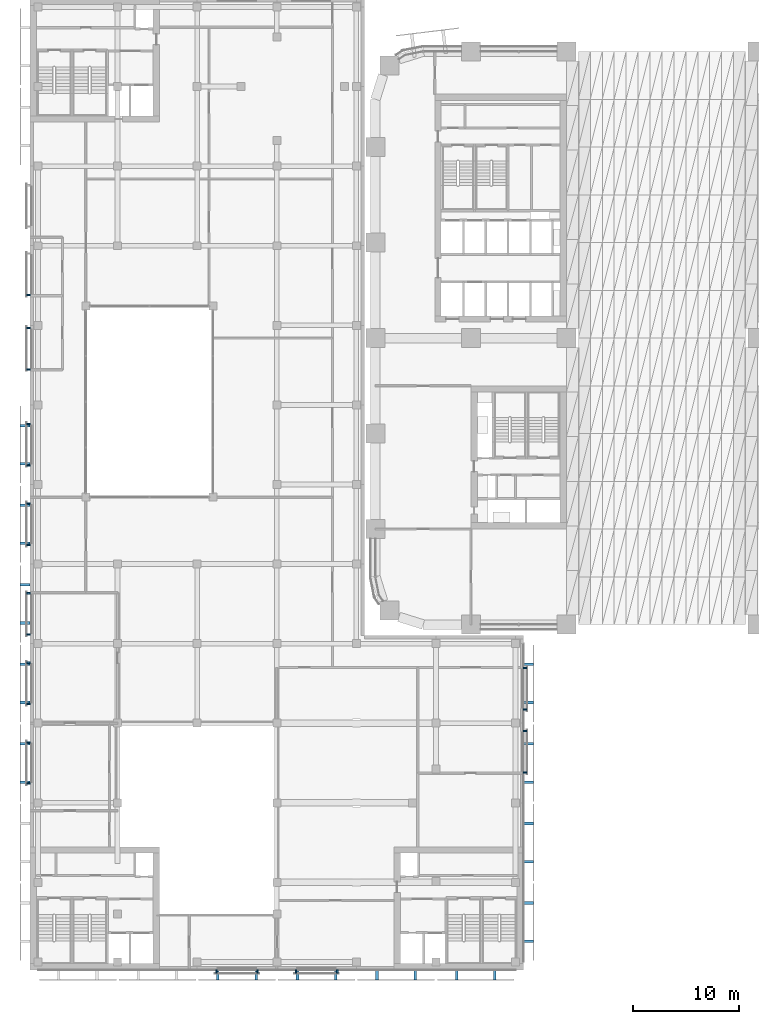
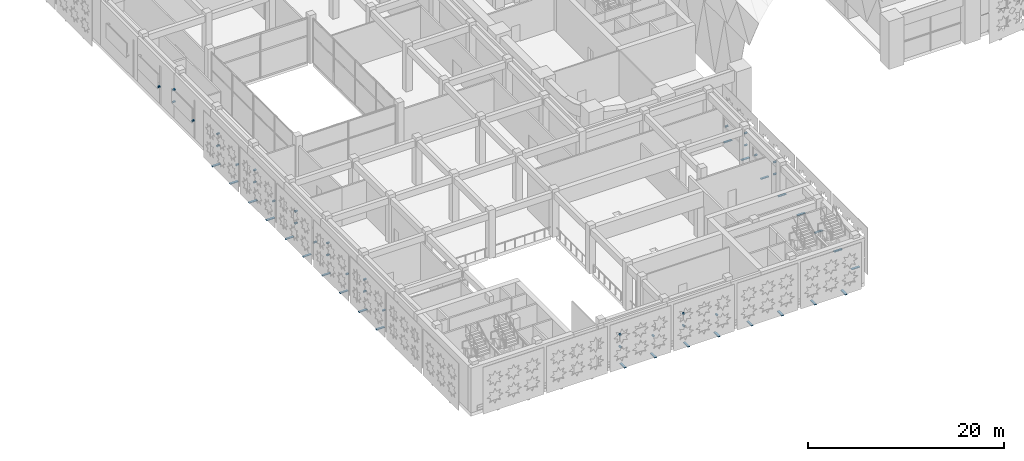
# One storey, part 26 of 46: 57 discrete accessories.
"""IFC4 building model written with IfcOpenShell, lengths in metres."""

from ifc_helpers import new_model, si_unit, direction, frame, origin, origin_2d, place, context, subcontext, project, spatial, rectangle, extrude, element, save


model = new_model("IFC4")

# Units and contexts
model_context = context("Model", 3, precision=1e-05, world=origin(), true_north=direction((0.0, 1.0)))
body_context = subcontext(model_context, "Body", "Model", "MODEL_VIEW")
ifc_project = project(units=[si_unit("LENGTHUNIT", "METRE"), si_unit("AREAUNIT", "SQUARE_METRE"), si_unit("VOLUMEUNIT", "CUBIC_METRE"), si_unit("PLANEANGLEUNIT", "RADIAN"), si_unit("MASSUNIT", "GRAM", prefix="KILO")], contexts=[model_context])

# Site, building, storey
site_placement = place(None, origin())
site = spatial("IfcSite", under=ifc_project, at=site_placement, CompositionType="ELEMENT")
building_placement = place(site_placement, origin())
building = spatial("IfcBuilding", under=site, at=building_placement, Name="Tessera Arch", CompositionType="ELEMENT")
storey_placement = place(building_placement, frame((0.0, 0.0, 8.0)))
storey = spatial("IfcBuildingStorey", under=building, at=storey_placement, Name="L01", CompositionType="ELEMENT", Elevation=8.0)

# Discrete accessories
for number, where, z_axis, x_axis, name in (
    (1, (-15.0, -32.699951171875, 2.175048828125), (0.0, 0.0, 1.0), (0.0, -1.0, 0.0), "Screen bracket"),
    (2, (-11.10009765625, -32.699951171875, 2.175048828125), (0.0, 0.0, 1.0), (0.0, -1.0, 0.0), "Screen bracket"),
    (3, (-15.0, -32.699951171875, 3.675048828125), (0.0, 0.0, 1.0), (0.0, -1.0, 0.0), "Screen bracket"),
    (4, (-7.5, -32.699951171875, 2.175048828125), (0.0, 0.0, 1.0), (0.0, -1.0, 0.0), "Screen bracket"),
    (5, (-3.60009765625, -32.699951171875, 2.175048828125), (0.0, 0.0, 1.0), (0.0, -1.0, 0.0), "Screen bracket"),
    (6, (-7.5, -32.699951171875, 3.675048828125), (0.0, 0.0, 1.0), (0.0, -1.0, 0.0), "Screen bracket"),
    (7, (14.10009765625, -13.949951171875, 2.175048828125), (0.0, 0.0, 1.0), (1.0, 0.0, 0.0), "Screen bracket"),
    (8, (14.10009765625, -10.050048828125, 2.175048828125), (0.0, 0.0, 1.0), (1.0, 0.0, 0.0), "Screen bracket"),
    (9, (14.10009765625, -13.949951171875, 3.675048828125), (0.0, 0.0, 1.0), (1.0, 0.0, 0.0), "Screen bracket"),
    (10, (14.10009765625, -8.0, 2.175048828125), (0.0, 0.0, 1.0), (1.0, 0.0, 0.0), "Screen bracket"),
    (11, (14.10009765625, -4.10009765625, 2.175048828125), (0.0, 0.0, 1.0), (1.0, 0.0, 0.0), "Screen bracket"),
    (12, (14.10009765625, -8.0, 3.675048828125), (0.0, 0.0, 1.0), (1.0, 0.0, 0.0), "Screen bracket"),
    (13, (-32.699951171875, 31.050048828125, 2.175048828125), (0.0, 0.0, 1.0), (-1.0, 0.0, 0.0), "Screen bracket"),
    (14, (-32.699951171875, 27.949951171875, 2.175048828125), (0.0, 0.0, 1.0), (-1.0, 0.0, 0.0), "Screen bracket"),
    (15, (-32.699951171875, 24.050048828125, 2.175048828125), (0.0, 0.0, 1.0), (-1.0, 0.0, 0.0), "Screen bracket"),
    (16, (-32.699951171875, 27.949951171875, 3.675048828125), (0.0, 0.0, 1.0), (-1.0, 0.0, 0.0), "Screen bracket"),
    (17, (-32.699951171875, 18.89990234375, 2.175048828125), (0.0, 0.0, 1.0), (-1.0, 0.0, 0.0), "Screen bracket"),
    (18, (-32.699951171875, 15.0, 2.175048828125), (0.0, 0.0, 1.0), (-1.0, 0.0, 0.0), "Screen bracket"),
    (19, (-32.699951171875, 18.89990234375, 3.675048828125), (0.0, 0.0, 1.0), (-1.0, 0.0, 0.0), "Screen bracket"),
    (20, (-32.699951171875, 11.39990234375, 2.175048828125), (0.0, 0.0, 1.0), (-1.0, 0.0, 0.0), "Screen bracket"),
    (21, (-32.699951171875, 7.5, 2.175048828125), (0.0, 0.0, 1.0), (-1.0, 0.0, 0.0), "Screen bracket"),
    (22, (-32.699951171875, 11.39990234375, 3.675048828125), (0.0, 0.0, 1.0), (-1.0, 0.0, 0.0), "Screen bracket"),
    (23, (-32.699951171875, 2.949951171875, 2.175048828125), (0.0, 0.0, 1.0), (-1.0, 0.0, 0.0), "Screen bracket"),
    (24, (-32.699951171875, -0.949951171875, 2.175048828125), (0.0, 0.0, 1.0), (-1.0, 0.0, 0.0), "Screen bracket"),
    (25, (-32.699951171875, 2.949951171875, 3.675048828125), (0.0, 0.0, 1.0), (-1.0, 0.0, 0.0), "Screen bracket"),
    (26, (-32.699951171875, -3.60009765625, 2.175048828125), (0.0, 0.0, 1.0), (-1.0, 0.0, 0.0), "Screen bracket"),
    (27, (-32.699951171875, -7.5, 2.175048828125), (0.0, 0.0, 1.0), (-1.0, 0.0, 0.0), "Screen bracket"),
    (28, (-32.699951171875, -3.60009765625, 3.675048828125), (0.0, 0.0, 1.0), (-1.0, 0.0, 0.0), "Screen bracket"),
    (29, (-32.699951171875, -11.10009765625, 2.175048828125), (0.0, 0.0, 1.0), (-1.0, 0.0, 0.0), "Screen bracket"),
    (30, (-32.699951171875, -15.0, 2.175048828125), (0.0, 0.0, 1.0), (-1.0, 0.0, 0.0), "Screen bracket"),
    (31, (-32.699951171875, -11.10009765625, 3.675048828125), (0.0, 0.0, 1.0), (-1.0, 0.0, 0.0), "Screen bracket"),
):
    element("IfcDiscreteAccessory", number, at=place(storey_placement, frame(where, z_axis=z_axis, x_axis=x_axis)), inside=storey, Name=name, PredefinedType="BRACKET", context=body_context, shape_type="SweptSolid", body=[
        extrude(rectangle(XDim=0.300048828125, YDim=0.14990234375, at=origin_2d()), origin(), (0.0, 0.0, 1.0), 0.14990234375),
    ])
for number, where, z_axis, x_axis, name in (
    (32, (-14.85009765625, -33.02490234375, 0.0), (0.0, 0.0, 1.0), (0.0, -1.0, 0.0), "Screen panel bracket"),
    (33, (-11.25, -33.02490234375, 0.0), (0.0, 0.0, 1.0), (0.0, -1.0, 0.0), "Screen panel bracket"),
    (34, (-7.35009765625, -33.02490234375, 0.0), (0.0, 0.0, 1.0), (0.0, -1.0, 0.0), "Screen panel bracket"),
    (35, (-3.75, -33.02490234375, 0.0), (0.0, 0.0, 1.0), (0.0, -1.0, 0.0), "Screen panel bracket"),
    (36, (0.14990234375, -33.02490234375, 0.0), (0.0, 0.0, 1.0), (0.0, -1.0, 0.0), "Screen panel bracket"),
    (37, (3.75, -33.02490234375, 0.0), (0.0, 0.0, 1.0), (0.0, -1.0, 0.0), "Screen panel bracket"),
    (38, (7.64990234375, -33.02490234375, 0.0), (0.0, 0.0, 1.0), (0.0, -1.0, 0.0), "Screen panel bracket"),
    (39, (11.25, -33.02490234375, 0.0), (0.0, 0.0, 1.0), (0.0, -1.0, 0.0), "Screen panel bracket"),
    (40, (14.425048828125, -29.85009765625, 0.0), (0.0, 0.0, 1.0), (1.0, 0.0, 0.0), "Screen panel bracket"),
    (41, (14.425048828125, -26.25, 0.0), (0.0, 0.0, 1.0), (1.0, 0.0, 0.0), "Screen panel bracket"),
    (42, (14.425048828125, -22.35009765625, 0.0), (0.0, 0.0, 1.0), (1.0, 0.0, 0.0), "Screen panel bracket"),
    (43, (14.425048828125, -18.75, 0.0), (0.0, 0.0, 1.0), (1.0, 0.0, 0.0), "Screen panel bracket"),
    (44, (14.425048828125, -14.85009765625, 0.0), (0.0, 0.0, 1.0), (1.0, 0.0, 0.0), "Screen panel bracket"),
    (45, (14.425048828125, -11.25, 0.0), (0.0, 0.0, 1.0), (1.0, 0.0, 0.0), "Screen panel bracket"),
    (46, (14.425048828125, -7.35009765625, 0.0), (0.0, 0.0, 1.0), (1.0, 0.0, 0.0), "Screen panel bracket"),
    (47, (14.425048828125, -3.75, 0.0), (0.0, 0.0, 1.0), (1.0, 0.0, 0.0), "Screen panel bracket"),
    (48, (-33.02490234375, 18.75, 0.0), (0.0, 0.0, 1.0), (-1.0, 0.0, 0.0), "Screen panel bracket"),
    (49, (-33.02490234375, 15.14990234375, 0.0), (0.0, 0.0, 1.0), (-1.0, 0.0, 0.0), "Screen panel bracket"),
    (50, (-33.02490234375, 11.25, 0.0), (0.0, 0.0, 1.0), (-1.0, 0.0, 0.0), "Screen panel bracket"),
    (51, (-33.02490234375, 7.64990234375, 0.0), (0.0, 0.0, 1.0), (-1.0, 0.0, 0.0), "Screen panel bracket"),
    (52, (-33.02490234375, 3.75, 0.0), (0.0, 0.0, 1.0), (-1.0, 0.0, 0.0), "Screen panel bracket"),
    (53, (-33.02490234375, 0.14990234375, 0.0), (0.0, 0.0, 1.0), (-1.0, 0.0, 0.0), "Screen panel bracket"),
    (54, (-33.02490234375, -3.75, 0.0), (0.0, 0.0, 1.0), (-1.0, 0.0, 0.0), "Screen panel bracket"),
    (55, (-33.02490234375, -7.35009765625, 0.0), (0.0, 0.0, 1.0), (-1.0, 0.0, 0.0), "Screen panel bracket"),
    (56, (-33.02490234375, -11.25, 0.0), (0.0, 0.0, 1.0), (-1.0, 0.0, 0.0), "Screen panel bracket"),
    (57, (-33.02490234375, -14.85009765625, 0.0), (0.0, 0.0, 1.0), (-1.0, 0.0, 0.0), "Screen panel bracket"),
):
    element("IfcDiscreteAccessory", number, at=place(storey_placement, frame(where, z_axis=z_axis, x_axis=x_axis)), inside=storey, Name=name, PredefinedType="BRACKET", context=body_context, shape_type="SweptSolid", body=[
        extrude(rectangle(XDim=0.949951171875, YDim=0.25, at=origin_2d()), origin(), (0.0, 0.0, 1.0), 0.10009765625),
    ])

save(model, "model.ifc")
